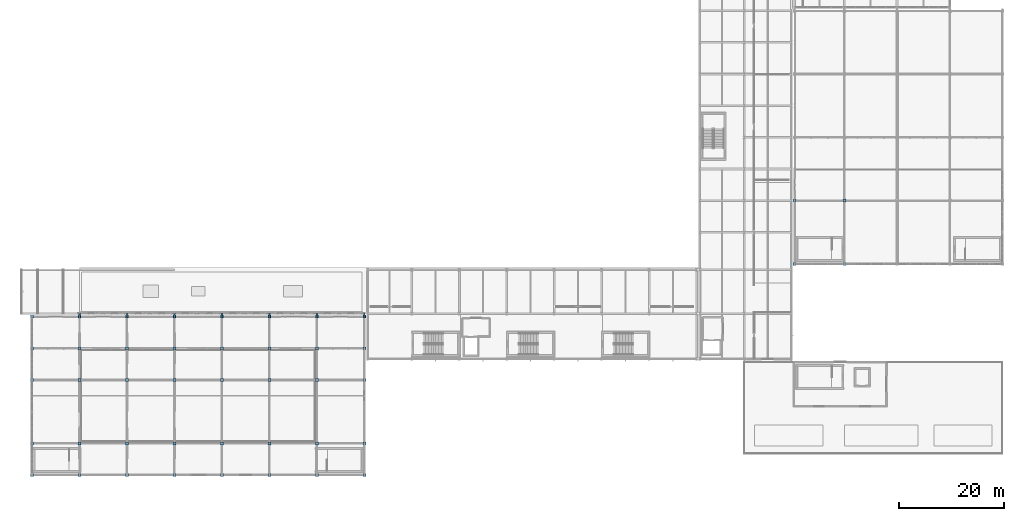
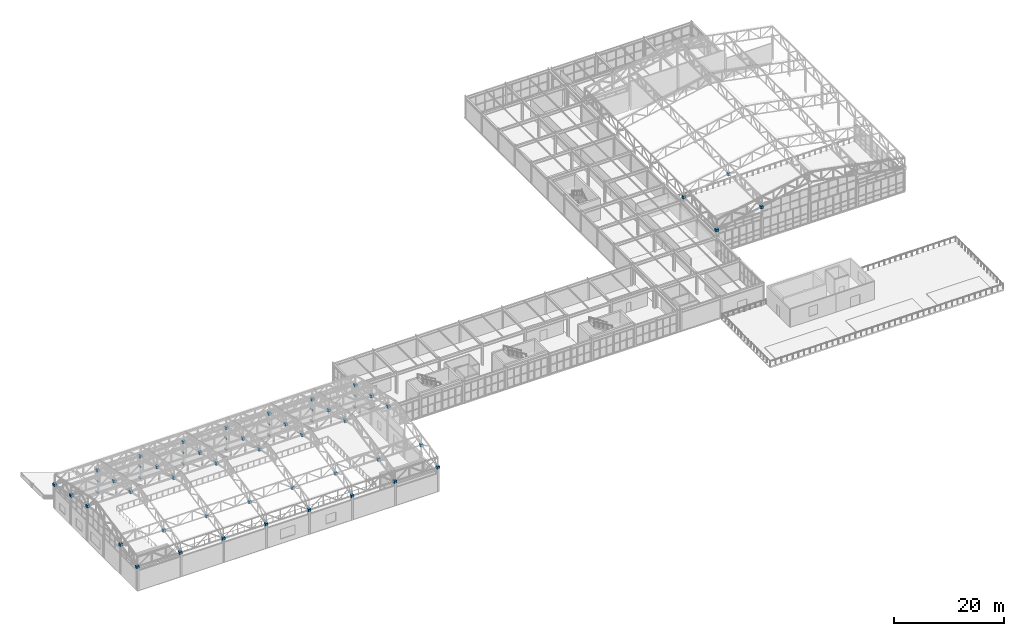
# One storey, part 100 of 112: 58 discrete accessories.
"""IFC4 building model written with IfcOpenShell, lengths in metres."""

from ifc_helpers import new_model, si_unit, direction, frame, origin, origin_2d, place, context, subcontext, project, spatial, rectangle, extrude, material, type_object, element, save


model = new_model("IFC4")

# Units and contexts
model_context = context("Model", 3, precision=1e-05, world=origin(), true_north=direction((0.0, 1.0)))
body_context = subcontext(model_context, "Body", "Model", "MODEL_VIEW")
ifc_project = project(units=[si_unit("LENGTHUNIT", "METRE"), si_unit("AREAUNIT", "SQUARE_METRE"), si_unit("VOLUMEUNIT", "CUBIC_METRE"), si_unit("PLANEANGLEUNIT", "RADIAN"), si_unit("MASSUNIT", "GRAM", prefix="KILO")], contexts=[model_context])

# Site, building, storey
site_placement = place(None, origin())
site = spatial("IfcSite", under=ifc_project, at=site_placement, CompositionType="ELEMENT")
building_placement = place(site_placement, origin())
building = spatial("IfcBuilding", under=site, at=building_placement, Name="Kaldris Quays Convention Centre", CompositionType="ELEMENT")
storey_placement = place(building_placement, frame((0.0, 0.0, 16.800048828125)))
storey = spatial("IfcBuildingStorey", under=building, at=storey_placement, Name="L03", CompositionType="ELEMENT", Elevation=16.800048828125)

# Discrete accessories
ifc_material = material(Name="Steel S355J2", Category="steel")
discrete_accessory_type_1 = type_object("IfcDiscreteAccessoryType", Name="CAST STEEL HUB SHOE HS01", PredefinedType="SHOE", material=ifc_material)
for number, where, z_axis, x_axis, name in (
    (1, (164.60009765625, 56.0, 4.850341796875), (0.0, 0.0, 1.0), (1.0, 0.0, 0.0), "SF-V2 Bottom Hub Shoe 1"),
    (2, (164.60009765625, 68.0, 4.850341796875), (0.0, 0.0, 1.0), (1.0, 0.0, 0.0), "SF-V2 Bottom Hub Shoe 2"),
    (3, (174.0, 56.0, 6.66357421875), (0.0, 0.0, 1.0), (1.0, 0.0, 0.0), "SF-V2 Bottom Hub Shoe 6"),
    (4, (174.0, 68.0, 6.66357421875), (0.0, 0.0, 1.0), (1.0, 0.0, 0.0), "SF-V2 Bottom Hub Shoe 7"),
    (5, (20.0, 16.0, 5.050537109375), (0.0, 0.0, 1.0), (1.0, 0.0, 0.0), "SF-V3 Bottom Hub Shoe 1"),
    (6, (20.0, 22.0, 6.330322265625), (0.0, 0.0, 1.0), (1.0, 0.0, 0.0), "SF-V3 Bottom Hub Shoe 2"),
    (7, (20.0, 34.0, 7.6103515625), (0.0, 0.0, 1.0), (1.0, 0.0, 0.0), "SF-V3 Bottom Hub Shoe 3"),
    (8, (20.0, 40.0, 6.330322265625), (0.0, 0.0, 1.0), (1.0, 0.0, 0.0), "SF-V3 Bottom Hub Shoe 4"),
    (9, (20.0, 46.0, 5.050537109375), (0.0, 0.0, 1.0), (1.0, 0.0, 0.0), "SF-V3 Bottom Hub Shoe 5"),
    (10, (29.0, 16.0, 5.050537109375), (0.0, 0.0, 1.0), (1.0, 0.0, 0.0), "SF-V3 Bottom Hub Shoe 6"),
    (11, (29.0, 22.0, 6.330322265625), (0.0, 0.0, 1.0), (1.0, 0.0, 0.0), "SF-V3 Bottom Hub Shoe 7"),
    (12, (29.0, 34.0, 7.6103515625), (0.0, 0.0, 1.0), (1.0, 0.0, 0.0), "SF-V3 Bottom Hub Shoe 8"),
    (13, (29.0, 40.0, 6.330322265625), (0.0, 0.0, 1.0), (1.0, 0.0, 0.0), "SF-V3 Bottom Hub Shoe 9"),
    (14, (29.0, 46.0, 5.050537109375), (0.0, 0.0, 1.0), (1.0, 0.0, 0.0), "SF-V3 Bottom Hub Shoe 10"),
    (15, (38.0, 16.0, 5.050537109375), (0.0, 0.0, 1.0), (1.0, 0.0, 0.0), "SF-V3 Bottom Hub Shoe 11"),
    (16, (38.0, 22.0, 6.330322265625), (0.0, 0.0, 1.0), (1.0, 0.0, 0.0), "SF-V3 Bottom Hub Shoe 12"),
    (17, (38.0, 34.0, 7.6103515625), (0.0, 0.0, 1.0), (1.0, 0.0, 0.0), "SF-V3 Bottom Hub Shoe 13"),
    (18, (38.0, 40.0, 6.330322265625), (0.0, 0.0, 1.0), (1.0, 0.0, 0.0), "SF-V3 Bottom Hub Shoe 14"),
    (19, (38.0, 46.0, 5.050537109375), (0.0, 0.0, 1.0), (1.0, 0.0, 0.0), "SF-V3 Bottom Hub Shoe 15"),
    (20, (47.0, 16.0, 5.050537109375), (0.0, 0.0, 1.0), (1.0, 0.0, 0.0), "SF-V3 Bottom Hub Shoe 16"),
    (21, (47.0, 22.0, 6.330322265625), (0.0, 0.0, 1.0), (1.0, 0.0, 0.0), "SF-V3 Bottom Hub Shoe 17"),
    (22, (47.0, 34.0, 7.6103515625), (0.0, 0.0, 1.0), (1.0, 0.0, 0.0), "SF-V3 Bottom Hub Shoe 18"),
    (23, (47.0, 40.0, 6.330322265625), (0.0, 0.0, 1.0), (1.0, 0.0, 0.0), "SF-V3 Bottom Hub Shoe 19"),
    (24, (47.0, 46.0, 5.050537109375), (0.0, 0.0, 1.0), (1.0, 0.0, 0.0), "SF-V3 Bottom Hub Shoe 20"),
    (25, (56.0, 16.0, 5.050537109375), (0.0, 0.0, 1.0), (1.0, 0.0, 0.0), "SF-V3 Bottom Hub Shoe 21"),
    (26, (56.0, 22.0, 6.330322265625), (0.0, 0.0, 1.0), (1.0, 0.0, 0.0), "SF-V3 Bottom Hub Shoe 22"),
    (27, (56.0, 34.0, 7.6103515625), (0.0, 0.0, 1.0), (1.0, 0.0, 0.0), "SF-V3 Bottom Hub Shoe 23"),
    (28, (56.0, 40.0, 6.330322265625), (0.0, 0.0, 1.0), (1.0, 0.0, 0.0), "SF-V3 Bottom Hub Shoe 24"),
    (29, (56.0, 46.0, 5.050537109375), (0.0, 0.0, 1.0), (1.0, 0.0, 0.0), "SF-V3 Bottom Hub Shoe 25"),
    (30, (65.0, 16.0, 5.050537109375), (0.0, 0.0, 1.0), (1.0, 0.0, 0.0), "SF-V3 Bottom Hub Shoe 26"),
    (31, (65.0, 22.0, 6.330322265625), (0.0, 0.0, 1.0), (1.0, 0.0, 0.0), "SF-V3 Bottom Hub Shoe 27"),
    (32, (65.0, 34.0, 7.6103515625), (0.0, 0.0, 1.0), (1.0, 0.0, 0.0), "SF-V3 Bottom Hub Shoe 28"),
    (33, (65.0, 40.0, 6.330322265625), (0.0, 0.0, 1.0), (1.0, 0.0, 0.0), "SF-V3 Bottom Hub Shoe 29"),
    (34, (65.0, 46.0, 5.050537109375), (0.0, 0.0, 1.0), (1.0, 0.0, 0.0), "SF-V3 Bottom Hub Shoe 30"),
    (35, (74.0, 16.0, 5.050537109375), (0.0, 0.0, 1.0), (1.0, 0.0, 0.0), "SF-V3 Bottom Hub Shoe 31"),
    (36, (74.0, 22.0, 6.330322265625), (0.0, 0.0, 1.0), (1.0, 0.0, 0.0), "SF-V3 Bottom Hub Shoe 32"),
    (37, (74.0, 34.0, 7.6103515625), (0.0, 0.0, 1.0), (1.0, 0.0, 0.0), "SF-V3 Bottom Hub Shoe 33"),
    (38, (74.0, 40.0, 6.330322265625), (0.0, 0.0, 1.0), (1.0, 0.0, 0.0), "SF-V3 Bottom Hub Shoe 34"),
    (39, (74.0, 46.0, 5.050537109375), (0.0, 0.0, 1.0), (1.0, 0.0, 0.0), "SF-V3 Bottom Hub Shoe 35"),
    (40, (83.0, 16.0, 5.050537109375), (0.0, 0.0, 1.0), (1.0, 0.0, 0.0), "SF-V3 Bottom Hub Shoe 36"),
    (41, (83.0, 22.0, 6.330322265625), (0.0, 0.0, 1.0), (1.0, 0.0, 0.0), "SF-V3 Bottom Hub Shoe 37"),
    (42, (83.0, 34.0, 7.6103515625), (0.0, 0.0, 1.0), (1.0, 0.0, 0.0), "SF-V3 Bottom Hub Shoe 38"),
    (43, (83.0, 40.0, 6.330322265625), (0.0, 0.0, 1.0), (1.0, 0.0, 0.0), "SF-V3 Bottom Hub Shoe 39"),
    (44, (83.0, 46.0, 5.050537109375), (0.0, 0.0, 1.0), (1.0, 0.0, 0.0), "SF-V3 Bottom Hub Shoe 40"),
):
    element("IfcDiscreteAccessory", number, at=place(storey_placement, frame(where, z_axis=z_axis, x_axis=x_axis)), inside=storey, type_object=discrete_accessory_type_1, Name=name, PredefinedType="SHOE", context=body_context, shape_type="SweptSolid", body=[
        extrude(rectangle(XDim=0.56005859375, YDim=0.56005859375, at=origin_2d()), origin(), (0.0, 0.0, 1.0), 0.56005859375),
    ])
discrete_accessory_type_2 = type_object("IfcDiscreteAccessoryType", Name="SCREEN OUTRIGGER BRACKET BK01", PredefinedType="BRACKET", material=ifc_material)
for number, where, z_axis, x_axis, name in (
    (45, (29.0, 46.260009765625, 0.27001953125), (0.0, 0.0, 1.0), (1.0, 0.0, 0.0), "V3NU Screen Outrigger Bracket 478"),
    (46, (29.0, 46.260009765625, 2.794921875), (0.0, 0.0, 1.0), (1.0, 0.0, 0.0), "V3NU Screen Outrigger Bracket 479"),
    (47, (38.0, 46.260009765625, 0.27001953125), (0.0, 0.0, 1.0), (1.0, 0.0, 0.0), "V3NU Screen Outrigger Bracket 481"),
    (48, (38.0, 46.260009765625, 2.794921875), (0.0, 0.0, 1.0), (1.0, 0.0, 0.0), "V3NU Screen Outrigger Bracket 482"),
    (49, (47.0, 46.260009765625, 0.27001953125), (0.0, 0.0, 1.0), (1.0, 0.0, 0.0), "V3NU Screen Outrigger Bracket 484"),
    (50, (47.0, 46.260009765625, 2.794921875), (0.0, 0.0, 1.0), (1.0, 0.0, 0.0), "V3NU Screen Outrigger Bracket 485"),
    (51, (56.0, 46.260009765625, 0.27001953125), (0.0, 0.0, 1.0), (1.0, 0.0, 0.0), "V3NU Screen Outrigger Bracket 487"),
    (52, (56.0, 46.260009765625, 2.794921875), (0.0, 0.0, 1.0), (1.0, 0.0, 0.0), "V3NU Screen Outrigger Bracket 488"),
    (53, (65.0, 46.260009765625, 0.27001953125), (0.0, 0.0, 1.0), (1.0, 0.0, 0.0), "V3NU Screen Outrigger Bracket 490"),
    (54, (65.0, 46.260009765625, 2.794921875), (0.0, 0.0, 1.0), (1.0, 0.0, 0.0), "V3NU Screen Outrigger Bracket 491"),
    (55, (74.0, 46.260009765625, 0.27001953125), (0.0, 0.0, 1.0), (1.0, 0.0, 0.0), "V3NU Screen Outrigger Bracket 493"),
    (56, (74.0, 46.260009765625, 2.794921875), (0.0, 0.0, 1.0), (1.0, 0.0, 0.0), "V3NU Screen Outrigger Bracket 494"),
    (57, (83.0, 46.260009765625, 0.27001953125), (0.0, 0.0, 1.0), (1.0, 0.0, 0.0), "V3NU Screen Outrigger Bracket 496"),
    (58, (83.0, 46.260009765625, 2.794921875), (0.0, 0.0, 1.0), (1.0, 0.0, 0.0), "V3NU Screen Outrigger Bracket 497"),
):
    element("IfcDiscreteAccessory", number, at=place(storey_placement, frame(where, z_axis=z_axis, x_axis=x_axis)), inside=storey, type_object=discrete_accessory_type_2, Name=name, PredefinedType="BRACKET", context=body_context, shape_type="SweptSolid", body=[
        extrude(rectangle(XDim=0.260009765625, YDim=0.8798828125, at=origin_2d()), origin(), (0.0, 0.0, 1.0), 0.260009765625),
    ])

save(model, "model.ifc")
